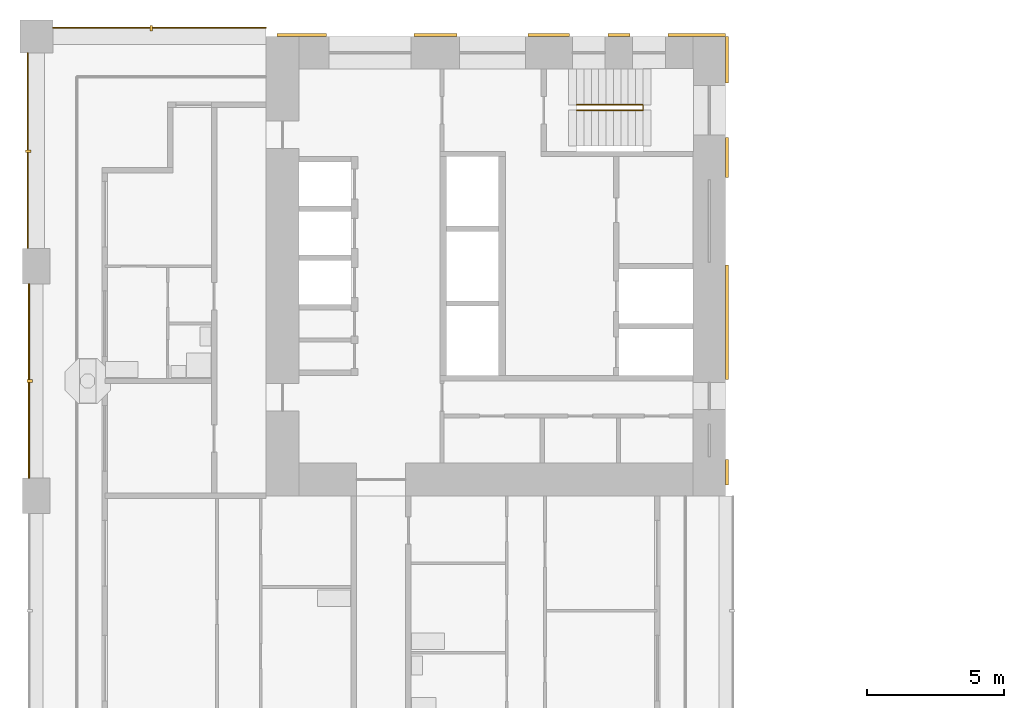
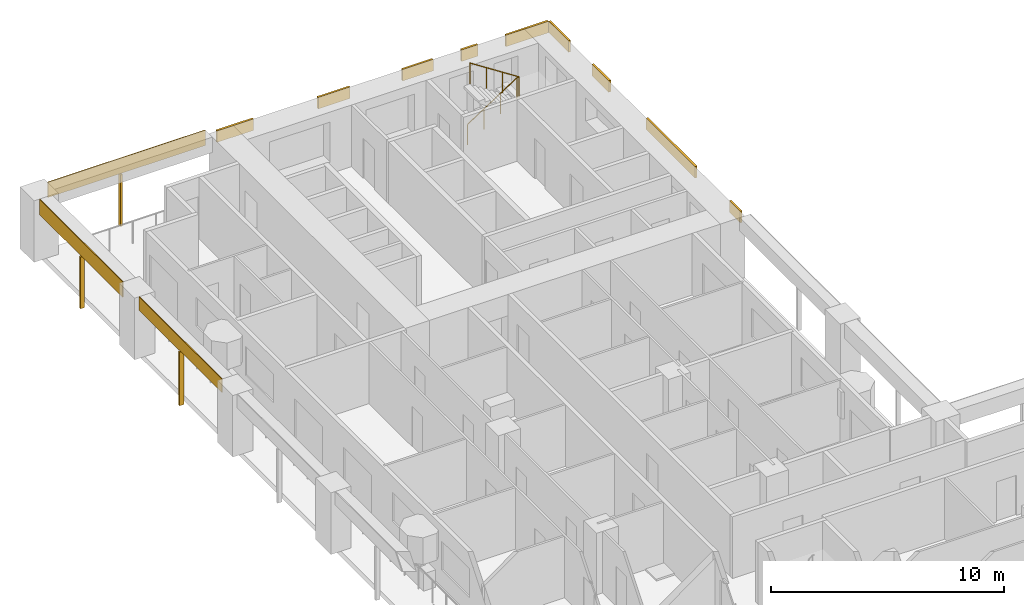
# One storey, part 14 of 18: 15 shading devices, 1 railing.
"""IFC4 building model written with IfcOpenShell, lengths in metres."""

import ifcopenshell
import ifcopenshell.guid

model = None  # the IFC model being written
_history = None  # IfcOwnerHistory: only IFC2X3 demands one
_inside = {}  # id of a spatial element -> (the spatial element, [elements in it])
_under = {}  # id of a project, library or spatial element -> (it, [spatial elements below it])
_declared = {}  # id of a project -> (the project, [libraries it declares])
_typed = {}  # id of a type object -> (the type object, [elements of that type])
_made_of = {}  # id of a material, layer set ... -> (it, [elements and type objects made of it])


def new_model(schema):
    """Start an empty IFC model of exactly this schema.

    Asked for "IFC4X3", IfcOpenShell would pick the latest addendum, in which some entities
    have other attributes; the version numbers below select the first issue.
    IFC2X3 requires an IfcOwnerHistory on every rooted entity: one is made here for all.
    """
    global model, _history
    if schema == "IFC4X3":
        model = ifcopenshell.file(schema_version=(4, 3, 0, 0))
    else:
        model = ifcopenshell.file(schema=schema)
    _inside.clear()
    _under.clear()
    _declared.clear()
    _typed.clear()
    _made_of.clear()
    _history = None
    if model.schema == "IFC2X3":
        org = make("IfcOrganization", Name="unknown")
        user = make(
            "IfcPersonAndOrganization",
            ThePerson=make("IfcPerson", FamilyName="unknown"),
            TheOrganization=org,
        )
        app = make(
            "IfcApplication",
            ApplicationDeveloper=org,
            Version="unknown",
            ApplicationFullName="unknown",
            ApplicationIdentifier="unknown",
        )
        _history = make(
            "IfcOwnerHistory",
            OwningUser=user,
            OwningApplication=app,
            ChangeAction="ADDED",
            CreationDate=0,
        )
    return model


def make(cls, **values):
    """One entity of the class cls with the attributes given. An attribute that is None is left unset."""
    return model.create_entity(
        cls, **{name: value for name, value in values.items() if value is not None}
    )


def rooted(cls, **values):
    """An entity with a GlobalId (a new one), such as an element, a storey or a relation."""
    return make(cls, GlobalId=ifcopenshell.guid.new(), OwnerHistory=_history, **values)


def si_unit(unit_type, name, prefix=None):
    """IfcSIUnit, for example si_unit("LENGTHUNIT", "METRE", prefix="MILLI")."""
    return make("IfcSIUnit", UnitType=unit_type, Prefix=prefix, Name=name)


def assignment(units):
    """IfcUnitAssignment: the units of a project."""
    return None if units is None else make("IfcUnitAssignment", Units=units)


def point(xyz):
    """IfcCartesianPoint."""
    return None if xyz is None else make("IfcCartesianPoint", Coordinates=xyz)


def direction(xyz):
    """IfcDirection."""
    return None if xyz is None else make("IfcDirection", DirectionRatios=xyz)


def frame(location, z_axis=None, x_axis=None):
    """IfcAxis2Placement3D, a coordinate frame: its origin and axes. An axis left out is left unset."""
    return make(
        "IfcAxis2Placement3D",
        Location=point(location),
        Axis=direction(z_axis),
        RefDirection=direction(x_axis),
    )


def frame_2d(location, x_axis=None):
    """IfcAxis2Placement2D, a coordinate frame in the plane: its origin and x axis."""
    return make(
        "IfcAxis2Placement2D", Location=point(location), RefDirection=direction(x_axis)
    )


def origin():
    """The frame at (0, 0, 0) with its axes left unset."""
    return frame((0.0, 0.0, 0.0))


def origin_2d():
    """The frame at (0, 0) in the plane with its x axis left unset."""
    return frame_2d((0.0, 0.0))


def place(relative_to, where):
    """IfcLocalPlacement: puts the frame where relative to a parent placement (None: the world)."""
    return make(
        "IfcLocalPlacement", PlacementRelTo=relative_to, RelativePlacement=where
    )


def context(
    kind, dimensions, precision=None, world=None, true_north=None, identifier=None
):
    """IfcGeometricRepresentationContext, for example the 3D "Model" context."""
    return make(
        "IfcGeometricRepresentationContext",
        ContextIdentifier=identifier,
        ContextType=kind,
        CoordinateSpaceDimension=dimensions,
        Precision=precision,
        WorldCoordinateSystem=world,
        TrueNorth=true_north,
    )


def subcontext(parent, identifier, kind, view, scale=None):
    """IfcGeometricRepresentationSubContext, for example "Body" below "Model"."""
    return make(
        "IfcGeometricRepresentationSubContext",
        ContextIdentifier=identifier,
        ContextType=kind,
        ParentContext=parent,
        TargetScale=scale,
        TargetView=view,
    )


def project(units=None, contexts=None):
    """IfcProject with its units and contexts."""
    return rooted(
        "IfcProject",
        Name="project",
        RepresentationContexts=contexts,
        UnitsInContext=assignment(units),
    )


def spatial(cls, under=None, at=None, **own):
    """A site, building, storey or space (cls), placed at a placement, below another one or the project."""
    s = rooted(cls, ObjectPlacement=at, **own)
    if under is not None:
        _under.setdefault(under.id(), (under, []))[1].append(s)
    return s


def profile(cls, at=None, kind="AREA", **sizes):
    """A parametric profile (cls). Its sizes go by their IFC names, for example OverallWidth=200.0."""
    return make(cls, ProfileType=kind, Position=at, **sizes)


def rectangle(**sizes):
    """IfcRectangleProfileDef."""
    return profile("IfcRectangleProfileDef", **sizes)


def circle(**sizes):
    """IfcCircleProfileDef."""
    return profile("IfcCircleProfileDef", **sizes)


def extrude(swept, where, along, depth):
    """IfcExtrudedAreaSolid: the profile swept, set in the frame where, extruded along a direction by depth."""
    return make(
        "IfcExtrudedAreaSolid",
        SweptArea=swept,
        Position=where,
        ExtrudedDirection=direction(along),
        Depth=depth,
    )


def shape(context_of_items, identifier, shape_type, items):
    """IfcShapeRepresentation: the items that make up one representation, for example the "Body"."""
    return make(
        "IfcShapeRepresentation",
        ContextOfItems=context_of_items,
        RepresentationIdentifier=identifier,
        RepresentationType=shape_type,
        Items=items,
    )


def material(Name=None, Category=None):
    """IfcMaterial."""
    return make("IfcMaterial", Name=Name, Category=Category)


def layer(
    of_material, thickness, ventilated=None, Name=None, Category=None, Priority=None
):
    """IfcMaterialLayer: one layer of a wall or slab, of a material (None: an air gap)."""
    return make(
        "IfcMaterialLayer",
        Material=of_material,
        LayerThickness=thickness,
        IsVentilated=ventilated,
        Name=Name,
        Category=Category,
        Priority=Priority,
    )


def layer_set(layers, Name=None):
    """IfcMaterialLayerSet."""
    return make("IfcMaterialLayerSet", MaterialLayers=layers, LayerSetName=Name)


def material_profile(
    of_material, cross_section, Name=None, Category=None, Priority=None
):
    """IfcMaterialProfile: a cross section and its material."""
    return make(
        "IfcMaterialProfile",
        Name=Name,
        Material=of_material,
        Profile=cross_section,
        Priority=Priority,
        Category=Category,
    )


def profile_set(profiles, Name=None, composite=None):
    """IfcMaterialProfileSet."""
    return make(
        "IfcMaterialProfileSet",
        Name=Name,
        MaterialProfiles=profiles,
        CompositeProfile=composite,
    )


def made_of(thing, what):
    """Note that an element or type object is made of a material, layer set ...; save() writes the relation."""
    if what is not None:
        _made_of.setdefault(what.id(), (what, []))[1].append(thing)
    return thing


def type_object(cls, material=None, **own):
    """A type object (cls), such as IfcWallType, which elements share."""
    return made_of(rooted(cls, **own), material)


def element(
    cls,
    number,
    at=None,
    inside=None,
    cuts=None,
    type_object=None,
    material=None,
    context=None,
    identifier="Body",
    shape_type=None,
    held_by="IfcProductDefinitionShape",
    body=None,
    shapes=None,
    **own,
):
    """One element of the class cls, such as IfcWall. Its Tag is "e" and its number.

    at: its placement. inside: the storey or other place that contains it. cuts: it is an
    opening in that element (IfcRelVoidsElement). A single representation is given by context,
    identifier, shape_type and body (its items); several are given by shapes. held_by: the class
    of the entity that holds the representations. save() writes the other relations.
    """
    e = rooted(cls, Tag="e%d" % number, ObjectPlacement=at, **own)
    if body is not None:
        shapes = [shape(context, identifier, shape_type, body)]
    if shapes is not None:
        e.Representation = make(held_by, Representations=shapes)
    if inside is not None:
        _inside.setdefault(inside.id(), (inside, []))[1].append(e)
    if cuts is not None:
        rooted(
            "IfcRelVoidsElement", RelatingBuildingElement=cuts, RelatedOpeningElement=e
        )
    if type_object is not None:
        _typed.setdefault(type_object.id(), (type_object, []))[1].append(e)
    return made_of(e, material)


def aggregate(whole, parts):
    """IfcRelAggregates: a whole, such as a stair, and the parts it consists of."""
    return rooted("IfcRelAggregates", RelatingObject=whole, RelatedObjects=parts)


def save(model, path):
    """Write the relations noted so far, then the file.

    IfcRelAggregates (storeys below a building ...), IfcRelContainedInSpatialStructure (elements
    in a storey), IfcRelDefinesByType, IfcRelAssociatesMaterial and IfcRelDeclares: one each for
    every whole, place, type object, material and project.
    """
    for whole, parts in _under.values():
        aggregate(whole, parts)
    for where, things in _inside.values():
        rooted(
            "IfcRelContainedInSpatialStructure",
            RelatedElements=things,
            RelatingStructure=where,
        )
    for kind, things in _typed.values():
        rooted("IfcRelDefinesByType", RelatedObjects=things, RelatingType=kind)
    for what, things in _made_of.values():
        rooted("IfcRelAssociatesMaterial", RelatedObjects=things, RelatingMaterial=what)
    for by, libraries in _declared.values():
        rooted("IfcRelDeclares", RelatingContext=by, RelatedDefinitions=libraries)
    model.write(path)


model = new_model("IFC4")

# Units and contexts
model_context = context("Model", 3, precision=1e-05, world=origin(), true_north=direction((0.0, 1.0)))
body_context = subcontext(model_context, "Body", "Model", "MODEL_VIEW")
ifc_project = project(units=[si_unit("LENGTHUNIT", "METRE"), si_unit("AREAUNIT", "SQUARE_METRE"), si_unit("VOLUMEUNIT", "CUBIC_METRE"), si_unit("PLANEANGLEUNIT", "RADIAN"), si_unit("MASSUNIT", "GRAM", prefix="KILO")], contexts=[model_context])

# Site, building, storey
site_placement = place(None, origin())
site = spatial("IfcSite", under=ifc_project, at=site_placement, CompositionType="ELEMENT")
building_placement = place(site_placement, origin())
building = spatial("IfcBuilding", under=site, at=building_placement, Name="Vermilion Gate Residences", CompositionType="ELEMENT")
storey_placement = place(building_placement, frame((0.0, 0.0, 88.199951171875)))
storey = spatial("IfcBuildingStorey", under=building, at=storey_placement, Name="L21", CompositionType="ELEMENT", Elevation=88.199951171875)

# Shading devices
ifc_material_1 = material(Name="Perforated terracotta", Category="masonry")
ifc_layer_1 = layer(ifc_material_1, 0.0400390625)
ifc_layer_set_1 = layer_set([ifc_layer_1], Name="PERFORATED TERRACOTTA SCREEN 40")
shading_device_type_1 = type_object("IfcShadingDeviceType", Name="PERFORATED TERRACOTTA SCREEN 40", PredefinedType="SHUTTER", material=ifc_layer_set_1)
shading_device_1_placement = place(storey_placement, frame((4.5, 59.1201171875, 2.419921875), z_axis=(0.0, 0.0, 1.0), x_axis=(-1.0, 0.0, 0.0)))
element("IfcShadingDevice", 1, at=shading_device_1_placement, inside=storey, type_object=shading_device_type_1, Name="SCREEN", PredefinedType="SHUTTER", context=body_context, shape_type="SweptSolid", body=[
    extrude(rectangle(XDim=7.800048828125, YDim=0.0400390625, at=origin_2d()), origin(), (0.0, 0.0, 1.0), 0.800048828125),
])
shading_device_2_placement = place(storey_placement, frame((-0.27001953125, 46.199951171875, 2.52001953125), z_axis=(0.0, 0.0, 1.0), x_axis=(0.0, -1.0, 0.0)))
element("IfcShadingDevice", 2, at=shading_device_2_placement, inside=storey, type_object=shading_device_type_1, Name="SCREEN", PredefinedType="SHUTTER", context=body_context, shape_type="SweptSolid", body=[
    extrude(rectangle(XDim=7.10009765625, YDim=0.0400390625, at=origin_2d()), origin(), (0.0, 0.0, 1.0), 0.699951171875),
])
shading_device_3_placement = place(storey_placement, frame((-0.320068359375, 54.625, 2.419921875), z_axis=(0.0, 0.0, 1.0), x_axis=(0.0, -1.0, 0.0)))
element("IfcShadingDevice", 3, at=shading_device_3_placement, inside=storey, type_object=shading_device_type_1, Name="SCREEN", PredefinedType="SHUTTER", context=body_context, shape_type="SweptSolid", body=[
    extrude(rectangle(XDim=7.14990234375, YDim=0.0400390625, at=origin_2d()), origin(), (0.0, 0.0, 1.0), 0.800048828125),
])

# Railing
ifc_material_2 = material(Name="Steel S355", Category="steel")
railing_type = type_object("IfcRailingType", Name="STAIR GUARD 1100 STEEL", PredefinedType="GUARDRAIL", material=ifc_material_2)
railing_placement = place(storey_placement, frame((19.75, 56.300048828125, 0.175048828125)))
element("IfcRailing", 4, at=railing_placement, inside=storey, type_object=railing_type, Name="Stair well guard STB1-21", PredefinedType="GUARDRAIL", context=body_context, shape_type="SweptSolid", body=[
    extrude(circle(Radius=0.02392578125, at=origin_2d()), frame((0.0, 0.0, 1.076171875), z_axis=(0.839153699163, 0.0, 0.543894354798), x_axis=(0.0, 1.0, 0.0)), (0.0, 0.0, 1.0), 2.895751953125),
    extrude(circle(Radius=0.02392578125, at=origin_2d()), frame((2.429931640625, 0.0, 2.65087890625), z_axis=(0.0, -0.752405939678, 0.658699705433), x_axis=(1.0, 0.0, 0.0)), (0.0, 0.0, 1.0), 0.265869140625),
    extrude(circle(Radius=0.02392578125, at=origin_2d()), frame((2.429931640625, -0.199951171875, 2.826171875), z_axis=(-0.839153699163, 0.0, 0.543894354798), x_axis=(0.0, -1.0, 0.0)), (0.0, 0.0, 1.0), 2.895751953125),
    extrude(circle(Radius=0.02099609375, at=origin_2d()), origin(), (0.0, 0.0, 1.0), 1.052001953125),
    extrude(circle(Radius=0.02099609375, at=origin_2d()), frame((0.81005859375, 0.0, 0.52490234375)), (0.0, 0.0, 1.0), 1.052001953125),
    extrude(circle(Radius=0.02099609375, at=origin_2d()), frame((1.619873046875, 0.0, 1.050048828125)), (0.0, 0.0, 1.0), 1.052001953125),
    extrude(circle(Radius=0.02099609375, at=origin_2d()), frame((2.429931640625, 0.0, 1.574951171875)), (0.0, 0.0, 1.0), 1.052001953125),
    extrude(circle(Radius=0.02099609375, at=origin_2d()), frame((2.429931640625, -0.199951171875, 1.75)), (0.0, 0.0, 1.0), 1.052001953125),
    extrude(circle(Radius=0.02099609375, at=origin_2d()), frame((1.619873046875, -0.199951171875, 2.27490234375)), (0.0, 0.0, 1.0), 1.052001953125),
    extrude(circle(Radius=0.02099609375, at=origin_2d()), frame((0.81005859375, -0.199951171875, 2.800048828125)), (0.0, 0.0, 1.0), 1.052001953125),
    extrude(circle(Radius=0.02099609375, at=origin_2d()), frame((0.0, -0.199951171875, 3.324951171875)), (0.0, 0.0, 1.0), 1.052001953125),
])

# Shading devices
ifc_material_3 = material(Name="Extruded terracotta", Category="masonry")
ifc_material_profile = material_profile(ifc_material_3, rectangle(XDim=0.199951171875, YDim=0.10009765625, at=origin_2d()), Name="BAGUETTE 100 X 200")
ifc_profile_set = profile_set([ifc_material_profile], Name="Extruded terracotta")
shading_device_type_2 = type_object("IfcShadingDeviceType", Name="TERRACOTTA BAGUETTE 100 X 200", PredefinedType="JALOUSIE", material=ifc_profile_set)
shading_device_4_placement = place(storey_placement, frame((4.199951171875, 59.10009765625, -0.280029296875), z_axis=(0.0, 0.0, 1.0), x_axis=(0.0, -1.0, 0.0)))
element("IfcShadingDevice", 5, at=shading_device_4_placement, inside=storey, type_object=shading_device_type_2, Name="BAGUETTE", PredefinedType="JALOUSIE", context=body_context, shape_type="SweptSolid", body=[
    extrude(rectangle(XDim=0.199951171875, YDim=0.10009765625, at=origin_2d()), origin(), (0.0, 0.0, 1.0), 2.7001953125),
])
shading_device_5_placement = place(storey_placement, frame((-0.25, 46.199951171875, -0.280029296875), z_axis=(0.0, 0.0, 1.0), x_axis=(1.0, 0.0, 0.0)))
element("IfcShadingDevice", 6, at=shading_device_5_placement, inside=storey, type_object=shading_device_type_2, Name="BAGUETTE", PredefinedType="JALOUSIE", context=body_context, shape_type="SweptSolid", body=[
    extrude(rectangle(XDim=0.199951171875, YDim=0.10009765625, at=origin_2d()), origin(), (0.0, 0.0, 1.0), 2.800048828125),
])
shading_device_6_placement = place(storey_placement, frame((-0.300048828125, 54.60009765625, -0.280029296875), z_axis=(0.0, 0.0, 1.0), x_axis=(1.0, 0.0, 0.0)))
element("IfcShadingDevice", 7, at=shading_device_6_placement, inside=storey, type_object=shading_device_type_2, Name="BAGUETTE", PredefinedType="JALOUSIE", context=body_context, shape_type="SweptSolid", body=[
    extrude(rectangle(XDim=0.199951171875, YDim=0.10009765625, at=origin_2d()), origin(), (0.0, 0.0, 1.0), 2.7001953125),
])
ifc_material_4 = material(Name="Extruded terracotta", Category="masonry")
ifc_layer_2 = layer(ifc_material_4, 0.10009765625)
ifc_layer_set_2 = layer_set([ifc_layer_2], Name="TERRACOTTA SPANDREL BAND 600 X 100")
shading_device_type_3 = type_object("IfcShadingDeviceType", Name="TERRACOTTA SPANDREL BAND 600 X 100", PredefinedType="USERDEFINED", material=ifc_layer_set_2)
shading_device_7_placement = place(storey_placement, frame((9.702392578125, 58.85009765625, 2.6201171875), z_axis=(0.0, 0.0, 1.0), x_axis=(1.0, 0.0, 0.0)))
element("IfcShadingDevice", 8, at=shading_device_7_placement, inside=storey, type_object=shading_device_type_3, Name="SPANDREL BAND", ObjectType="BAND", PredefinedType="USERDEFINED", context=body_context, shape_type="SweptSolid", body=[
    extrude(rectangle(XDim=1.804931640625, YDim=0.10009765625, at=origin_2d()), origin(), (0.0, 0.0, 1.0), 0.60009765625),
])
shading_device_8_placement = place(storey_placement, frame((14.590087890625, 58.85009765625, 2.6201171875), z_axis=(0.0, 0.0, 1.0), x_axis=(1.0, 0.0, 0.0)))
element("IfcShadingDevice", 9, at=shading_device_8_placement, inside=storey, type_object=shading_device_type_3, Name="SPANDREL BAND", ObjectType="BAND", PredefinedType="USERDEFINED", context=body_context, shape_type="SweptSolid", body=[
    extrude(rectangle(XDim=1.570068359375, YDim=0.10009765625, at=origin_2d()), origin(), (0.0, 0.0, 1.0), 0.60009765625),
])
shading_device_9_placement = place(storey_placement, frame((18.734130859375, 58.85009765625, 2.6201171875), z_axis=(0.0, 0.0, 1.0), x_axis=(1.0, 0.0, 0.0)))
element("IfcShadingDevice", 10, at=shading_device_9_placement, inside=storey, type_object=shading_device_type_3, Name="SPANDREL BAND", ObjectType="BAND", PredefinedType="USERDEFINED", context=body_context, shape_type="SweptSolid", body=[
    extrude(rectangle(XDim=1.518310546875, YDim=0.10009765625, at=origin_2d()), origin(), (0.0, 0.0, 1.0), 0.60009765625),
])
shading_device_10_placement = place(storey_placement, frame((21.294921875, 58.85009765625, 2.6201171875), z_axis=(0.0, 0.0, 1.0), x_axis=(1.0, 0.0, 0.0)))
element("IfcShadingDevice", 11, at=shading_device_10_placement, inside=storey, type_object=shading_device_type_3, Name="SPANDREL BAND", ObjectType="BAND", PredefinedType="USERDEFINED", context=body_context, shape_type="SweptSolid", body=[
    extrude(rectangle(XDim=0.803466796875, YDim=0.10009765625, at=origin_2d()), origin(), (0.0, 0.0, 1.0), 0.60009765625),
])
shading_device_11_placement = place(storey_placement, frame((24.1484375, 58.85009765625, 2.6201171875), z_axis=(0.0, 0.0, 1.0), x_axis=(1.0, 0.0, 0.0)))
element("IfcShadingDevice", 12, at=shading_device_11_placement, inside=storey, type_object=shading_device_type_3, Name="SPANDREL BAND", ObjectType="BAND", PredefinedType="USERDEFINED", context=body_context, shape_type="SweptSolid", body=[
    extrude(rectangle(XDim=2.103271484375, YDim=0.10009765625, at=origin_2d()), origin(), (0.0, 0.0, 1.0), 0.60009765625),
])
shading_device_12_placement = place(storey_placement, frame((25.25, 42.862548828125, 2.6201171875), z_axis=(0.0, 0.0, 1.0), x_axis=(0.0, 1.0, 0.0)))
element("IfcShadingDevice", 13, at=shading_device_12_placement, inside=storey, type_object=shading_device_type_3, Name="SPANDREL BAND", ObjectType="BAND", PredefinedType="USERDEFINED", context=body_context, shape_type="SweptSolid", body=[
    extrude(rectangle(XDim=0.925048828125, YDim=0.10009765625, at=origin_2d()), origin(), (0.0, 0.0, 1.0), 0.60009765625),
])
shading_device_13_placement = place(storey_placement, frame((25.25, 48.35009765625, 2.6201171875), z_axis=(0.0, 0.0, 1.0), x_axis=(0.0, 1.0, 0.0)))
element("IfcShadingDevice", 14, at=shading_device_13_placement, inside=storey, type_object=shading_device_type_3, Name="SPANDREL BAND", ObjectType="BAND", PredefinedType="USERDEFINED", context=body_context, shape_type="SweptSolid", body=[
    extrude(rectangle(XDim=4.199951171875, YDim=0.10009765625, at=origin_2d()), origin(), (0.0, 0.0, 1.0), 0.60009765625),
])
shading_device_14_placement = place(storey_placement, frame((25.25, 54.375, 2.6201171875), z_axis=(0.0, 0.0, 1.0), x_axis=(0.0, 1.0, 0.0)))
element("IfcShadingDevice", 15, at=shading_device_14_placement, inside=storey, type_object=shading_device_type_3, Name="SPANDREL BAND", ObjectType="BAND", PredefinedType="USERDEFINED", context=body_context, shape_type="SweptSolid", body=[
    extrude(rectangle(XDim=1.449951171875, YDim=0.10009765625, at=origin_2d()), origin(), (0.0, 0.0, 1.0), 0.60009765625),
])
shading_device_15_placement = place(storey_placement, frame((25.25, 57.949951171875, 2.6201171875), z_axis=(0.0, 0.0, 1.0), x_axis=(0.0, 1.0, 0.0)))
element("IfcShadingDevice", 16, at=shading_device_15_placement, inside=storey, type_object=shading_device_type_3, Name="SPANDREL BAND", ObjectType="BAND", PredefinedType="USERDEFINED", context=body_context, shape_type="SweptSolid", body=[
    extrude(rectangle(XDim=1.699951171875, YDim=0.10009765625, at=origin_2d()), origin(), (0.0, 0.0, 1.0), 0.60009765625),
])

save(model, "model.ifc")
